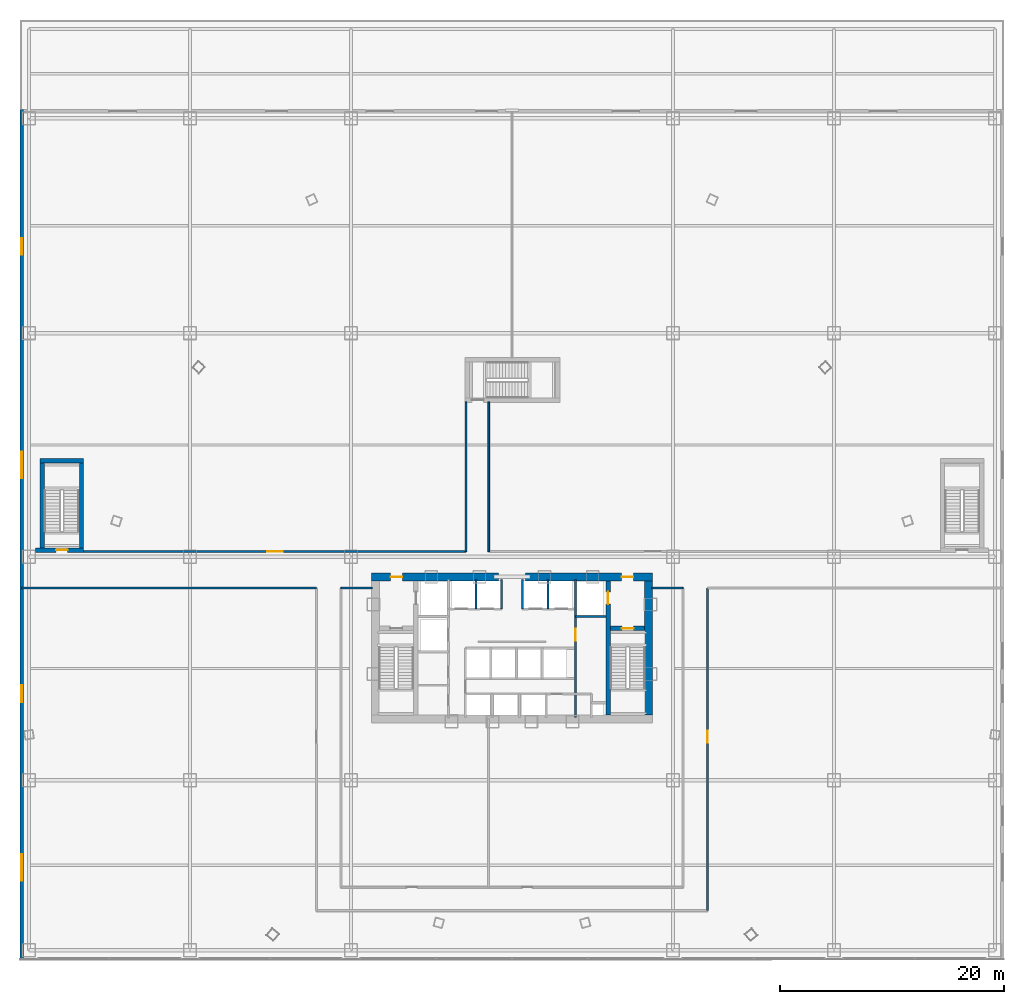
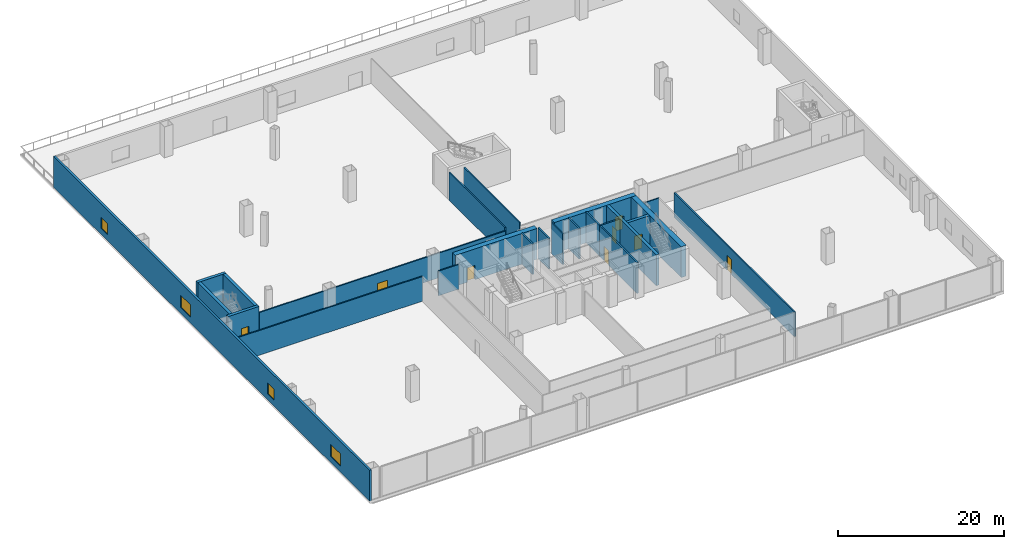
# One storey, part 20 of 27: 24 walls, 8 doors, 4 windows, 12 openings.
"""IFC4 building model written with IfcOpenShell, lengths in metres."""

from ifc_helpers import new_model, si_unit, direction, frame, frame_2d, origin, origin_with_axes, place, context, subcontext, project, spatial, rectangle, extrude, source, transform, mapped, material, layer, layer_set, type_object, element, fill, save


model = new_model("IFC4")

# Units and contexts
model_context = context("Model", 3, precision=1e-05, world=origin(), true_north=direction((0.0, 1.0)))
body_context = subcontext(model_context, "Body", "Model", "MODEL_VIEW")
ifc_project = project(units=[si_unit("LENGTHUNIT", "METRE"), si_unit("AREAUNIT", "SQUARE_METRE"), si_unit("VOLUMEUNIT", "CUBIC_METRE"), si_unit("PLANEANGLEUNIT", "RADIAN"), si_unit("MASSUNIT", "GRAM", prefix="KILO"), si_unit("THERMODYNAMICTEMPERATUREUNIT", "KELVIN"), si_unit("POWERUNIT", "WATT")], contexts=[model_context])

# Site, building, storey
site_placement = place(None, origin())
site = spatial("IfcSite", under=ifc_project, at=site_placement, CompositionType="ELEMENT")
building_placement = place(site_placement, origin())
building = spatial("IfcBuilding", under=site, at=building_placement, Name="Yunzhuo Pagoda Commons", CompositionType="ELEMENT")
storey_placement = place(building_placement, frame((0.0, 0.0, 9.60009765625)))
storey = spatial("IfcBuildingStorey", under=building, at=storey_placement, Name="L03", CompositionType="ELEMENT", Elevation=9.60009765625)

# Wall, opening, door
ifc_material_1 = material(Name="Concrete C60", Category="concrete")
ifc_layer_1 = layer(ifc_material_1, 0.699951171875)
ifc_layer_set_1 = layer_set([ifc_layer_1], Name="Concrete C60")
wall_type_1 = type_object("IfcWallType", Name="W-C01 Lower Core Shear Wall 700", PredefinedType="SHEAR", material=ifc_layer_set_1)
wall_1_placement = place(storey_placement, frame((35.449951171875, 40.199951171875, 0.0), z_axis=(0.0, 0.0, 1.0), x_axis=(1.0, 0.0, 0.0)))
wall_1 = element("IfcWall", 1, at=wall_1_placement, inside=storey, type_object=wall_type_1, Name="L03 core shear wall NW", PredefinedType="SHEAR", context=body_context, shape_type="SweptSolid", body=[
    extrude(rectangle(XDim=11.35009765625, YDim=0.699951171875, at=frame_2d((5.675048828125, 0.0))), origin(), (0.0, 0.0, 1.0), 4.52001953125),
])
opening_1_placement = place(wall_1_placement, frame((1.699951171875, 0.0, 0.0)))
opening_1 = element("IfcOpeningElement", 2, at=opening_1_placement, cuts=wall_1, Name="Opening D-02", PredefinedType="OPENING", context=body_context, shape_type="SweptSolid", body=[
    extrude(rectangle(XDim=1.050048828125, YDim=2.10009765625, at=frame_2d((0.52490234375, 1.050048828125))), frame((0.0, 0.35986328125, 0.0), z_axis=(0.0, -1.0, 0.0), x_axis=(1.0, 0.0, 0.0)), (0.0, 0.0, 1.0), 0.719970703125),
])
ifc_material_2 = material(Name="Galvanized fire-resisting metal leaf")
door_type_1 = type_object("IfcDoorType", Name="D-02 Firefighting Lobby & Refuge Fire Door 1050x2100", OperationType="NOTDEFINED", PredefinedType="DOOR", material=ifc_material_2)
shared_shape_1 = source(origin(), body_context, "Body", "SweptSolid", [
    extrude(rectangle(XDim=1.050048828125, YDim=2.10009765625, at=frame_2d((0.52490234375, 1.050048828125))), frame((0.0, 0.02490234375, 0.0), z_axis=(0.0, -1.0, 0.0), x_axis=(1.0, 0.0, 0.0)), (0.0, 0.0, 1.0), 0.050048828125),
])
door_1_placement = place(opening_1_placement, frame((1.050048828125, 0.0, 0.0), z_axis=(0.0, 0.0, 1.0), x_axis=(-1.0, 0.0, 0.0)))
door_1 = element("IfcDoor", 3, at=door_1_placement, inside=storey, type_object=door_type_1, Name="L03 Firefighting Lobby 1 fire door", OperationType="SINGLE_SWING_LEFT", OverallHeight=2.10009765625, OverallWidth=1.050048828125, PredefinedType="DOOR", context=body_context, shape_type="MappedRepresentation", body=[
    mapped(shared_shape_1, transform((0.0, 0.0, 0.0), scale=1.0)),
])
fill(opening_1, door_1)

wall_2_placement = place(storey_placement, frame((49.199951171875, 40.199951171875, 0.0), z_axis=(0.0, 0.0, 1.0), x_axis=(1.0, 0.0, 0.0)))
wall_2 = element("IfcWall", 4, at=wall_2_placement, inside=storey, type_object=wall_type_1, Name="L03 core shear wall NE", PredefinedType="SHEAR", context=body_context, shape_type="SweptSolid", body=[
    extrude(rectangle(XDim=11.35009765625, YDim=0.699951171875, at=frame_2d((5.675048828125, 0.0))), origin(), (0.0, 0.0, 1.0), 4.52001953125),
])
opening_2_placement = place(wall_2_placement, frame((8.60009765625, 0.0, 0.0)))
opening_2 = element("IfcOpeningElement", 5, at=opening_2_placement, cuts=wall_2, Name="Opening D-02", PredefinedType="OPENING", context=body_context, shape_type="SweptSolid", body=[
    extrude(rectangle(XDim=1.050048828125, YDim=2.10009765625, at=frame_2d((0.52490234375, 1.050048828125))), frame((0.0, 0.35986328125, 0.0), z_axis=(0.0, -1.0, 0.0), x_axis=(1.0, 0.0, 0.0)), (0.0, 0.0, 1.0), 0.719970703125),
])
door_2_placement = place(opening_2_placement, frame((1.050048828125, 0.0, 0.0), z_axis=(0.0, 0.0, 1.0), x_axis=(-1.0, 0.0, 0.0)))
door_2 = element("IfcDoor", 6, at=door_2_placement, inside=storey, type_object=door_type_1, Name="L03 Firefighting Lobby 2 fire door", OperationType="SINGLE_SWING_RIGHT", OverallHeight=2.10009765625, OverallWidth=1.050048828125, PredefinedType="DOOR", context=body_context, shape_type="MappedRepresentation", body=[
    mapped(shared_shape_1, transform((0.0, 0.0, 0.0), scale=1.0)),
])
fill(opening_2, door_2)

# Walls
wall_3_placement = place(storey_placement, frame((60.199951171875, 27.85009765625, 0.0), z_axis=(0.0, 0.0, 1.0), x_axis=(0.0, 1.0, 0.0)))
element("IfcWall", 7, at=wall_3_placement, inside=storey, type_object=wall_type_1, Name="L03 core shear wall E", PredefinedType="SHEAR", context=body_context, shape_type="SweptSolid", body=[
    extrude(rectangle(XDim=12.0, YDim=0.699951171875, at=frame_2d((6.0, 0.0))), origin(), (0.0, 0.0, 1.0), 4.52001953125),
])
ifc_material_3 = material(Name="Gypsum plasterboard on acoustic stud")
ifc_layer_2 = layer(ifc_material_3, 0.159912109375)
ifc_layer_set_2 = layer_set([ifc_layer_2], Name="Gypsum plasterboard on acoustic stud")
wall_type_2 = type_object("IfcWallType", Name="W-COR1 Tower Rated Corridor Wall 160", PredefinedType="PARTITIONING", material=ifc_layer_set_2)
for number, where, z_axis, x_axis, name in (
    (8, (43.8798828125, 42.449951171875, 0.0), (0.0, 0.0, 1.0), (0.0, 1.0, 0.0), "L03 interior wall IW-L03-SPNW"),
    (9, (45.919921875, 42.449951171875, 0.0), (0.0, 0.0, 1.0), (0.0, 1.0, 0.0), "L03 interior wall IW-L03-SPNE"),
):
    element("IfcWall", number, at=place(storey_placement, frame(where, z_axis=z_axis, x_axis=x_axis)), inside=storey, type_object=wall_type_2, Name=name, PredefinedType="PARTITIONING", context=body_context, shape_type="SweptSolid", body=[
        extrude(rectangle(XDim=13.400146484375, YDim=0.159912109375, at=frame_2d((6.7001953125, 0.0))), origin(), (0.0, 0.0, 1.0), 4.119873046875),
    ])
for number, where, z_axis, x_axis, name in (
    (10, (32.699951171875, 39.199951171875, 0.0), (0.0, 0.0, 1.0), (1.0, 0.0, 0.0), "L03 interior wall IW-L03-PSMNW"),
    (11, (60.5, 39.199951171875, 0.0), (0.0, 0.0, 1.0), (1.0, 0.0, 0.0), "L03 interior wall IW-L03-PSMNE"),
):
    element("IfcWall", number, at=place(storey_placement, frame(where, z_axis=z_axis, x_axis=x_axis)), inside=storey, type_object=wall_type_2, Name=name, PredefinedType="PARTITIONING", context=body_context, shape_type="SweptSolid", body=[
        extrude(rectangle(XDim=2.800048828125, YDim=0.159912109375, at=frame_2d((1.39990234375, 0.0))), origin(), (0.0, 0.0, 1.0), 3.619873046875),
    ])

# Wall, openings, windows
ifc_material_4 = material(Name="Precast concrete C40", Category="concrete")
ifc_layer_3 = layer(ifc_material_4, 0.300048828125)
ifc_layer_set_3 = layer_set([ifc_layer_3], Name="Precast concrete C40")
wall_type_3 = type_object("IfcWallType", Name="W-EXT1 Podium Precast Spandrel Wall 300", PredefinedType="STANDARD", material=ifc_layer_set_3)
wall_4_placement = place(storey_placement, frame((4.14990234375, 6.0, 0.0), z_axis=(0.0, 0.0, 1.0), x_axis=(0.0, 1.0, 0.0)))
wall_4 = element("IfcWall", 12, at=wall_4_placement, inside=storey, type_object=wall_type_3, Name="L03 W precast spandrel wall", PredefinedType="STANDARD", context=body_context, shape_type="SweptSolid", body=[
    extrude(rectangle(XDim=76.0, YDim=0.300048828125, at=frame_2d((38.0, 0.0))), origin(), (0.0, 0.0, 1.0), 4.52001953125),
])
opening_3_placement = place(wall_4_placement, frame((7.0, 0.0, 0.89990234375)))
opening_3 = element("IfcOpeningElement", 13, at=opening_3_placement, cuts=wall_4, Name="Opening W-01", PredefinedType="OPENING", context=body_context, shape_type="SweptSolid", body=[
    extrude(rectangle(XDim=2.39990234375, YDim=1.800048828125, at=frame_2d((1.199951171875, 0.89990234375))), frame((0.0, 0.16015625, 0.0), z_axis=(0.0, -1.0, 0.0), x_axis=(1.0, 0.0, 0.0)), (0.0, 0.0, 1.0), 0.320068359375),
])
opening_4_placement = place(wall_4_placement, frame((23.0, 0.0, 0.89990234375)))
opening_4 = element("IfcOpeningElement", 14, at=opening_4_placement, cuts=wall_4, Name="Opening W-02", PredefinedType="OPENING", context=body_context, shape_type="SweptSolid", body=[
    extrude(rectangle(XDim=1.5, YDim=1.60009765625, at=frame_2d((0.75, 0.800048828125))), frame((0.0, 0.16015625, 0.0), z_axis=(0.0, -1.0, 0.0), x_axis=(1.0, 0.0, 0.0)), (0.0, 0.0, 1.0), 0.320068359375),
])
opening_5_placement = place(wall_4_placement, frame((43.0, 0.0, 0.89990234375)))
opening_5 = element("IfcOpeningElement", 15, at=opening_5_placement, cuts=wall_4, Name="Opening W-01", PredefinedType="OPENING", context=body_context, shape_type="SweptSolid", body=[
    extrude(rectangle(XDim=2.39990234375, YDim=1.800048828125, at=frame_2d((1.199951171875, 0.89990234375))), frame((0.0, 0.16015625, 0.0), z_axis=(0.0, -1.0, 0.0), x_axis=(1.0, 0.0, 0.0)), (0.0, 0.0, 1.0), 0.320068359375),
])
opening_6_placement = place(wall_4_placement, frame((63.0, 0.0, 0.89990234375)))
opening_6 = element("IfcOpeningElement", 16, at=opening_6_placement, cuts=wall_4, Name="Opening W-02", PredefinedType="OPENING", context=body_context, shape_type="SweptSolid", body=[
    extrude(rectangle(XDim=1.5, YDim=1.60009765625, at=frame_2d((0.75, 0.800048828125))), frame((0.0, 0.16015625, 0.0), z_axis=(0.0, -1.0, 0.0), x_axis=(1.0, 0.0, 0.0)), (0.0, 0.0, 1.0), 0.320068359375),
])
ifc_material_5 = material(Name="Tempered low-e double glazing", Category="glass")
window_type_1 = type_object("IfcWindowType", Name="W-01 Podium Fixed Ribbon Window 2400x1800", PartitioningType="DOUBLE_PANEL_VERTICAL", PredefinedType="WINDOW", material=ifc_material_5)
shared_shape_2 = source(origin(), body_context, "Body", "SweptSolid", [
    extrude(rectangle(XDim=2.39990234375, YDim=1.800048828125, at=frame_2d((1.199951171875, 0.89990234375))), frame((0.0, 0.030029296875, 0.0), z_axis=(0.0, -1.0, 0.0), x_axis=(1.0, 0.0, 0.0)), (0.0, 0.0, 1.0), 0.06005859375),
])
window_1_placement = place(opening_3_placement, origin_with_axes())
window_1 = element("IfcWindow", 17, at=window_1_placement, inside=storey, type_object=window_type_1, Name="L03 W window 1", OverallHeight=1.800048828125, OverallWidth=2.39990234375, PartitioningType="SINGLE_PANEL", PredefinedType="WINDOW", context=body_context, shape_type="MappedRepresentation", body=[
    mapped(shared_shape_2, transform((0.0, 0.0, 0.0), scale=1.0)),
])
fill(opening_3, window_1)
window_2_placement = place(opening_5_placement, origin_with_axes())
window_2 = element("IfcWindow", 18, at=window_2_placement, inside=storey, type_object=window_type_1, Name="L03 W window 3", OverallHeight=1.800048828125, OverallWidth=2.39990234375, PartitioningType="SINGLE_PANEL", PredefinedType="WINDOW", context=body_context, shape_type="MappedRepresentation", body=[
    mapped(shared_shape_2, transform((0.0, 0.0, 0.0), scale=1.0)),
])
fill(opening_5, window_2)
window_type_2 = type_object("IfcWindowType", Name="W-02 Podium Casement Window 1500x1600", PartitioningType="SINGLE_PANEL", PredefinedType="WINDOW", material=ifc_material_5)
shared_shape_3 = source(origin(), body_context, "Body", "SweptSolid", [
    extrude(rectangle(XDim=1.5, YDim=1.60009765625, at=frame_2d((0.75, 0.800048828125))), frame((0.0, 0.030029296875, 0.0), z_axis=(0.0, -1.0, 0.0), x_axis=(1.0, 0.0, 0.0)), (0.0, 0.0, 1.0), 0.06005859375),
])
window_3_placement = place(opening_4_placement, origin_with_axes())
window_3 = element("IfcWindow", 19, at=window_3_placement, inside=storey, type_object=window_type_2, Name="L03 W window 2", OverallHeight=1.60009765625, OverallWidth=1.5, PartitioningType="SINGLE_PANEL", PredefinedType="WINDOW", context=body_context, shape_type="MappedRepresentation", body=[
    mapped(shared_shape_3, transform((0.0, 0.0, 0.0), scale=1.0)),
])
fill(opening_4, window_3)
window_4_placement = place(opening_6_placement, origin_with_axes())
window_4 = element("IfcWindow", 20, at=window_4_placement, inside=storey, type_object=window_type_2, Name="L03 W window 4", OverallHeight=1.60009765625, OverallWidth=1.5, PartitioningType="SINGLE_PANEL", PredefinedType="WINDOW", context=body_context, shape_type="MappedRepresentation", body=[
    mapped(shared_shape_3, transform((0.0, 0.0, 0.0), scale=1.0)),
])
fill(opening_6, window_4)

# Wall, opening, door
ifc_layer_4 = layer(ifc_material_3, 0.179931640625)
ifc_layer_set_4 = layer_set([ifc_layer_4], Name="Gypsum plasterboard on acoustic stud")
wall_type_4 = type_object("IfcWallType", Name="W-PRT2 Acoustic Unit Demising Wall 180", PredefinedType="PARTITIONING", material=ifc_layer_set_4)
wall_5_placement = place(storey_placement, frame((9.699951171875, 42.449951171875, 0.0), z_axis=(0.0, 0.0, 1.0), x_axis=(1.0, 0.0, 0.0)))
wall_5 = element("IfcWall", 21, at=wall_5_placement, inside=storey, type_object=wall_type_4, Name="L03 interior wall IW-L03-PNWW", PredefinedType="PARTITIONING", context=body_context, shape_type="SweptSolid", body=[
    extrude(rectangle(XDim=34.179931640625, YDim=0.179931640625, at=frame_2d((17.08984375, 0.0))), origin(), (0.0, 0.0, 1.0), 3.619873046875),
])
opening_7_placement = place(wall_5_placement, frame((16.389892578125, 0.0, 0.0)))
opening_7 = element("IfcOpeningElement", 22, at=opening_7_placement, cuts=wall_5, Name="Opening D-10", PredefinedType="OPENING", context=body_context, shape_type="SweptSolid", body=[
    extrude(rectangle(XDim=1.39990234375, YDim=2.14990234375, at=frame_2d((0.699951171875, 1.074951171875))), frame((0.0, 0.10009765625, 0.0), z_axis=(0.0, -1.0, 0.0), x_axis=(1.0, 0.0, 0.0)), (0.0, 0.0, 1.0), 0.199951171875),
])
door_type_2 = type_object("IfcDoorType", Name="D-10 Podium Dining & Library Double Leaf Door 1400x2150", OperationType="NOTDEFINED", PredefinedType="DOOR", material=ifc_material_2)
shared_shape_4 = source(origin(), body_context, "Body", "SweptSolid", [
    extrude(rectangle(XDim=1.39990234375, YDim=2.14990234375, at=frame_2d((0.699951171875, 1.074951171875))), frame((0.0, 0.02490234375, 0.0), z_axis=(0.0, -1.0, 0.0), x_axis=(1.0, 0.0, 0.0)), (0.0, 0.0, 1.0), 0.050048828125),
])
door_3_placement = place(opening_7_placement, origin_with_axes())
door_3 = element("IfcDoor", 23, at=door_3_placement, inside=storey, type_object=door_type_2, Name="L03 Academic Library Reading Room door W", OperationType="SINGLE_SWING_LEFT", OverallHeight=2.14990234375, OverallWidth=1.39990234375, PredefinedType="DOOR", context=body_context, shape_type="MappedRepresentation", body=[
    mapped(shared_shape_4, transform((0.0, 0.0, 0.0), scale=1.0)),
])
fill(opening_7, door_3)

# Wall
wall_6_placement = place(storey_placement, frame((4.14990234375, 39.199951171875, 0.0), z_axis=(0.0, 0.0, 1.0), x_axis=(1.0, 0.0, 0.0)))
element("IfcWall", 24, at=wall_6_placement, inside=storey, type_object=wall_type_4, Name="L03 interior wall IW-L03-PWESTN", PredefinedType="PARTITIONING", context=body_context, shape_type="SweptSolid", body=[
    extrude(rectangle(XDim=26.35009765625, YDim=0.179931640625, at=frame_2d((13.175048828125, 0.0))), origin(), (0.0, 0.0, 1.0), 3.619873046875),
])

# Wall, opening, door
wall_7_placement = place(storey_placement, frame((65.5, 10.35009765625, 0.0), z_axis=(0.0, 0.0, 1.0), x_axis=(0.0, 1.0, 0.0)))
wall_7 = element("IfcWall", 25, at=wall_7_placement, inside=storey, type_object=wall_type_4, Name="L03 interior wall IW-L03-PEAST", PredefinedType="PARTITIONING", context=body_context, shape_type="SweptSolid", body=[
    extrude(rectangle(XDim=28.849853515625, YDim=0.179931640625, at=frame_2d((14.4248046875, 0.0))), origin(), (0.0, 0.0, 1.0), 3.619873046875),
])
opening_8_placement = place(wall_7_placement, frame((15.0, 0.0, 0.0)))
opening_8 = element("IfcOpeningElement", 26, at=opening_8_placement, cuts=wall_7, Name="Opening D-09", PredefinedType="OPENING", context=body_context, shape_type="SweptSolid", body=[
    extrude(rectangle(XDim=1.10009765625, YDim=2.14990234375, at=frame_2d((0.550048828125, 1.074951171875))), frame((0.0, 0.10009765625, 0.0), z_axis=(0.0, -1.0, 0.0), x_axis=(1.0, 0.0, 0.0)), (0.0, 0.0, 1.0), 0.199951171875),
])
door_type_3 = type_object("IfcDoorType", Name="D-09 Podium Commons Hall Fire Door 1100x2150", OperationType="NOTDEFINED", PredefinedType="DOOR", material=ifc_material_2)
shared_shape_5 = source(origin(), body_context, "Body", "SweptSolid", [
    extrude(rectangle(XDim=1.10009765625, YDim=2.14990234375, at=frame_2d((0.550048828125, 1.074951171875))), frame((0.0, 0.02490234375, 0.0), z_axis=(0.0, -1.0, 0.0), x_axis=(1.0, 0.0, 0.0)), (0.0, 0.0, 1.0), 0.050048828125),
])
door_4_placement = place(opening_8_placement, frame((1.10009765625, 0.0, 0.0), z_axis=(0.0, 0.0, 1.0), x_axis=(-1.0, 0.0, 0.0)))
door_4 = element("IfcDoor", 27, at=door_4_placement, inside=storey, type_object=door_type_3, Name="L03 Academic Faculty Office 2 door", OperationType="SINGLE_SWING_RIGHT", OverallHeight=2.14990234375, OverallWidth=1.10009765625, PredefinedType="DOOR", context=body_context, shape_type="MappedRepresentation", body=[
    mapped(shared_shape_5, transform((0.0, 0.0, 0.0), scale=1.0)),
])
fill(opening_8, door_4)

ifc_layer_5 = layer(ifc_material_1, 0.39990234375)
ifc_layer_set_5 = layer_set([ifc_layer_5], Name="Concrete C60")
wall_type_5 = type_object("IfcWallType", Name="W-S01 Internal Core Shear Web 400", PredefinedType="SHEAR", material=ifc_layer_set_5)
wall_8_placement = place(storey_placement, frame((56.60009765625, 27.85009765625, 0.0), z_axis=(0.0, 0.0, 1.0), x_axis=(0.0, 1.0, 0.0)))
wall_8 = element("IfcWall", 28, at=wall_8_placement, inside=storey, type_object=wall_type_5, Name="L03 core shear wall WEBE", PredefinedType="SHEAR", context=body_context, shape_type="SweptSolid", body=[
    extrude(rectangle(XDim=12.0, YDim=0.39990234375, at=frame_2d((6.0, 0.0))), origin(), (0.0, 0.0, 1.0), 4.52001953125),
])
opening_9_placement = place(wall_8_placement, frame((9.89990234375, 0.0, 0.0)))
opening_9 = element("IfcOpeningElement", 29, at=opening_9_placement, cuts=wall_8, Name="Opening LD-01", PredefinedType="OPENING", context=body_context, shape_type="SweptSolid", body=[
    extrude(rectangle(XDim=1.10009765625, YDim=2.10009765625, at=frame_2d((0.550048828125, 1.050048828125))), frame((0.0, 0.2099609375, 0.0), z_axis=(0.0, -1.0, 0.0), x_axis=(1.0, 0.0, 0.0)), (0.0, 0.0, 1.0), 0.419921875),
])
door_type_4 = type_object("IfcDoorType", Name="LD-01 Firefighting Lift Landing Door 1100x2100", OperationType="DOUBLE_DOOR_SLIDING", PredefinedType="DOOR", material=ifc_material_2)
shared_shape_6 = source(origin(), body_context, "Body", "SweptSolid", [
    extrude(rectangle(XDim=1.10009765625, YDim=2.10009765625, at=frame_2d((0.550048828125, 1.050048828125))), frame((0.0, 0.02490234375, 0.0), z_axis=(0.0, -1.0, 0.0), x_axis=(1.0, 0.0, 0.0)), (0.0, 0.0, 1.0), 0.050048828125),
])
door_5_placement = place(opening_9_placement, origin_with_axes())
door_5 = element("IfcDoor", 30, at=door_5_placement, inside=storey, type_object=door_type_4, Name="L03 Firefighting lift FL-2 landing door", OperationType="DOUBLE_DOOR_SLIDING", OverallHeight=2.10009765625, OverallWidth=1.10009765625, PredefinedType="DOOR", context=body_context, shape_type="MappedRepresentation", body=[
    mapped(shared_shape_6, transform((0.0, 0.0, 0.0), scale=1.0)),
])
fill(opening_9, door_5)

wall_9_placement = place(storey_placement, frame((56.800048828125, 35.60009765625, 0.0), z_axis=(0.0, 0.0, 1.0), x_axis=(1.0, 0.0, 0.0)))
wall_9 = element("IfcWall", 31, at=wall_9_placement, inside=storey, type_object=wall_type_5, Name="L03 core shear wall STE", PredefinedType="SHEAR", context=body_context, shape_type="SweptSolid", body=[
    extrude(rectangle(XDim=3.050048828125, YDim=0.39990234375, at=frame_2d((1.52490234375, 0.0))), origin(), (0.0, 0.0, 1.0), 4.52001953125),
])
opening_10_placement = place(wall_9_placement, frame((1.02001953125, 0.0, 0.0)))
opening_10 = element("IfcOpeningElement", 32, at=opening_10_placement, cuts=wall_9, Name="Opening D-01", PredefinedType="OPENING", context=body_context, shape_type="SweptSolid", body=[
    extrude(rectangle(XDim=1.050048828125, YDim=2.10009765625, at=frame_2d((0.52490234375, 1.050048828125))), frame((0.0, 0.2099609375, 0.0), z_axis=(0.0, -1.0, 0.0), x_axis=(1.0, 0.0, 0.0)), (0.0, 0.0, 1.0), 0.419921875),
])
door_type_5 = type_object("IfcDoorType", Name="D-01 Smokeproof Stair Fire Door 1050x2100", OperationType="NOTDEFINED", PredefinedType="DOOR", material=ifc_material_2)
door_6_placement = place(opening_10_placement, frame((1.050048828125, 0.0, 0.0), z_axis=(0.0, 0.0, 1.0), x_axis=(-1.0, 0.0, 0.0)))
door_6 = element("IfcDoor", 33, at=door_6_placement, inside=storey, type_object=door_type_5, Name="L03 Stair ST2 fire door", OperationType="SINGLE_SWING_RIGHT", OverallHeight=2.10009765625, OverallWidth=1.050048828125, PredefinedType="DOOR", context=body_context, shape_type="MappedRepresentation", body=[
    mapped(shared_shape_1, transform((0.0, 0.0, 0.0), scale=1.0)),
])
fill(opening_10, door_6)

# Wall
wall_10_placement = place(storey_placement, frame((5.800048828125, 50.60009765625, 0.0), z_axis=(0.0, 0.0, 1.0), x_axis=(1.0, 0.0, 0.0)))
element("IfcWall", 34, at=wall_10_placement, inside=storey, type_object=wall_type_5, Name="L03 PS3 structural stair wall N", PredefinedType="SHEAR", context=body_context, shape_type="SweptSolid", body=[
    extrude(rectangle(XDim=3.89990234375, YDim=0.39990234375, at=frame_2d((1.949951171875, 0.0))), origin(), (0.0, 0.0, 1.0), 4.52001953125),
])

# Wall, opening, door
wall_11_placement = place(storey_placement, frame((5.39990234375, 42.60009765625, 0.0), z_axis=(0.0, 0.0, 1.0), x_axis=(1.0, 0.0, 0.0)))
wall_11 = element("IfcWall", 35, at=wall_11_placement, inside=storey, type_object=wall_type_5, Name="L03 PS3 structural stair wall S", PredefinedType="SHEAR", context=body_context, shape_type="SweptSolid", body=[
    extrude(rectangle(XDim=4.300048828125, YDim=0.39990234375, at=frame_2d((2.14990234375, 0.0))), origin(), (0.0, 0.0, 1.0), 4.52001953125),
])
opening_11_placement = place(wall_11_placement, frame((1.820068359375, 0.0, 0.0)))
opening_11 = element("IfcOpeningElement", 36, at=opening_11_placement, cuts=wall_11, Name="Opening D-01", PredefinedType="OPENING", context=body_context, shape_type="SweptSolid", body=[
    extrude(rectangle(XDim=1.050048828125, YDim=2.10009765625, at=frame_2d((0.52490234375, 1.050048828125))), frame((0.0, 0.2099609375, 0.0), z_axis=(0.0, -1.0, 0.0), x_axis=(1.0, 0.0, 0.0)), (0.0, 0.0, 1.0), 0.419921875),
])
door_7_placement = place(opening_11_placement, frame((1.050048828125, 0.0, 0.0), z_axis=(0.0, 0.0, 1.0), x_axis=(-1.0, 0.0, 0.0)))
door_7 = element("IfcDoor", 37, at=door_7_placement, inside=storey, type_object=door_type_5, Name="L03 PS3 stair fire door", OperationType="SINGLE_SWING_LEFT", OverallHeight=2.10009765625, OverallWidth=1.050048828125, PredefinedType="DOOR", context=body_context, shape_type="MappedRepresentation", body=[
    mapped(shared_shape_1, transform((0.0, 0.0, 0.0), scale=1.0)),
])
fill(opening_11, door_7)

# Walls
for number, where, z_axis, x_axis, name in (
    (38, (6.0, 42.800048828125, 0.0), (0.0, 0.0, 1.0), (0.0, 1.0, 0.0), "L03 PS3 structural stair wall W"),
    (39, (9.5, 42.800048828125, 0.0), (0.0, 0.0, 1.0), (0.0, 1.0, 0.0), "L03 PS3 structural stair wall E"),
):
    element("IfcWall", number, at=place(storey_placement, frame(where, z_axis=z_axis, x_axis=x_axis)), inside=storey, type_object=wall_type_5, Name=name, PredefinedType="SHEAR", context=body_context, shape_type="SweptSolid", body=[
        extrude(rectangle(XDim=7.599853515625, YDim=0.39990234375, at=frame_2d((3.7998046875, 0.0))), origin(), (0.0, 0.0, 1.0), 4.52001953125),
    ])
ifc_material_6 = material(Name="Concrete C40", Category="concrete")
ifc_layer_6 = layer(ifc_material_6, 0.199951171875)
ifc_layer_set_6 = layer_set([ifc_layer_6], Name="Concrete C40")
wall_type_6 = type_object("IfcWallType", Name="W-SHF Shaft & Stair Enclosure Wall 200", PredefinedType="SOLIDWALL", material=ifc_layer_set_6)
wall_12_placement = place(storey_placement, frame((53.679931640625, 36.64990234375, 0.0), z_axis=(0.0, 0.0, 1.0), x_axis=(0.0, 1.0, 0.0)))
element("IfcWall", 40, at=wall_12_placement, inside=storey, type_object=wall_type_6, Name="L03 interior wall IW-L03-FL2W", PredefinedType="SOLIDWALL", context=body_context, shape_type="SweptSolid", body=[
    extrude(rectangle(XDim=3.300048828125, YDim=0.199951171875, at=frame_2d((1.64990234375, 0.0))), origin(), (0.0, 0.0, 1.0), 4.52001953125),
])
wall_13_placement = place(storey_placement, frame((53.679931640625, 36.64990234375, 0.0), z_axis=(0.0, 0.0, 1.0), x_axis=(1.0, 0.0, 0.0)))
element("IfcWall", 41, at=wall_13_placement, inside=storey, type_object=wall_type_6, Name="L03 interior wall IW-L03-FL2S", PredefinedType="SOLIDWALL", context=body_context, shape_type="SweptSolid", body=[
    extrude(rectangle(XDim=2.719970703125, YDim=0.199951171875, at=frame_2d((1.35986328125, 0.0))), origin(), (0.0, 0.0, 1.0), 4.52001953125),
])
for number, where, z_axis, x_axis, name in (
    (42, (47.050048828125, 37.320068359375, 0.0), (0.0, 0.0, 1.0), (0.0, 1.0, 0.0), "L03 interior wall IW-L03-THRW"),
    (43, (48.949951171875, 37.320068359375, 0.0), (0.0, 0.0, 1.0), (0.0, 1.0, 0.0), "L03 interior wall IW-L03-THRE"),
    (44, (44.77001953125, 37.320068359375, 0.0), (0.0, 0.0, 1.0), (0.0, 1.0, 0.0), "L03 interior wall IW-L03-PLL12"),
    (45, (51.22998046875, 37.320068359375, 0.0), (0.0, 0.0, 1.0), (0.0, 1.0, 0.0), "L03 interior wall IW-L03-PLL34"),
):
    element("IfcWall", number, at=place(storey_placement, frame(where, z_axis=z_axis, x_axis=x_axis)), inside=storey, type_object=wall_type_6, Name=name, PredefinedType="SOLIDWALL", context=body_context, shape_type="SweptSolid", body=[
        extrude(rectangle(XDim=2.6298828125, YDim=0.199951171875, at=frame_2d((1.31494140625, 0.0))), origin(), (0.0, 0.0, 1.0), 4.52001953125),
    ])

# Wall, opening, door
wall_14_placement = place(storey_placement, frame((53.679931640625, 27.60009765625, 0.0), z_axis=(0.0, 0.0, 1.0), x_axis=(0.0, 1.0, 0.0)))
wall_14 = element("IfcWall", 46, at=wall_14_placement, inside=storey, type_object=wall_type_6, Name="L03 interior wall IW-L03-PLME", PredefinedType="SOLIDWALL", context=body_context, shape_type="SweptSolid", body=[
    extrude(rectangle(XDim=9.0498046875, YDim=0.199951171875, at=frame_2d((4.52490234375, 0.0))), origin(), (0.0, 0.0, 1.0), 4.52001953125),
])
opening_12_placement = place(wall_14_placement, frame((6.89990234375, 0.0, 0.0)))
opening_12 = element("IfcOpeningElement", 47, at=opening_12_placement, cuts=wall_14, Name="Opening D-02", PredefinedType="OPENING", context=body_context, shape_type="SweptSolid", body=[
    extrude(rectangle(XDim=1.050048828125, YDim=2.10009765625, at=frame_2d((0.52490234375, 1.050048828125))), frame((0.0, 0.10986328125, 0.0), z_axis=(0.0, -1.0, 0.0), x_axis=(1.0, 0.0, 0.0)), (0.0, 0.0, 1.0), 0.219970703125),
])
door_8_placement = place(opening_12_placement, origin_with_axes())
door_8 = element("IfcDoor", 48, at=door_8_placement, inside=storey, type_object=door_type_1, Name="L03 High-bank lift hall door", OperationType="SINGLE_SWING_RIGHT", OverallHeight=2.10009765625, OverallWidth=1.050048828125, PredefinedType="DOOR", context=body_context, shape_type="MappedRepresentation", body=[
    mapped(shared_shape_1, transform((0.0, 0.0, 0.0), scale=1.0)),
])
fill(opening_12, door_8)

save(model, "model.ifc")
